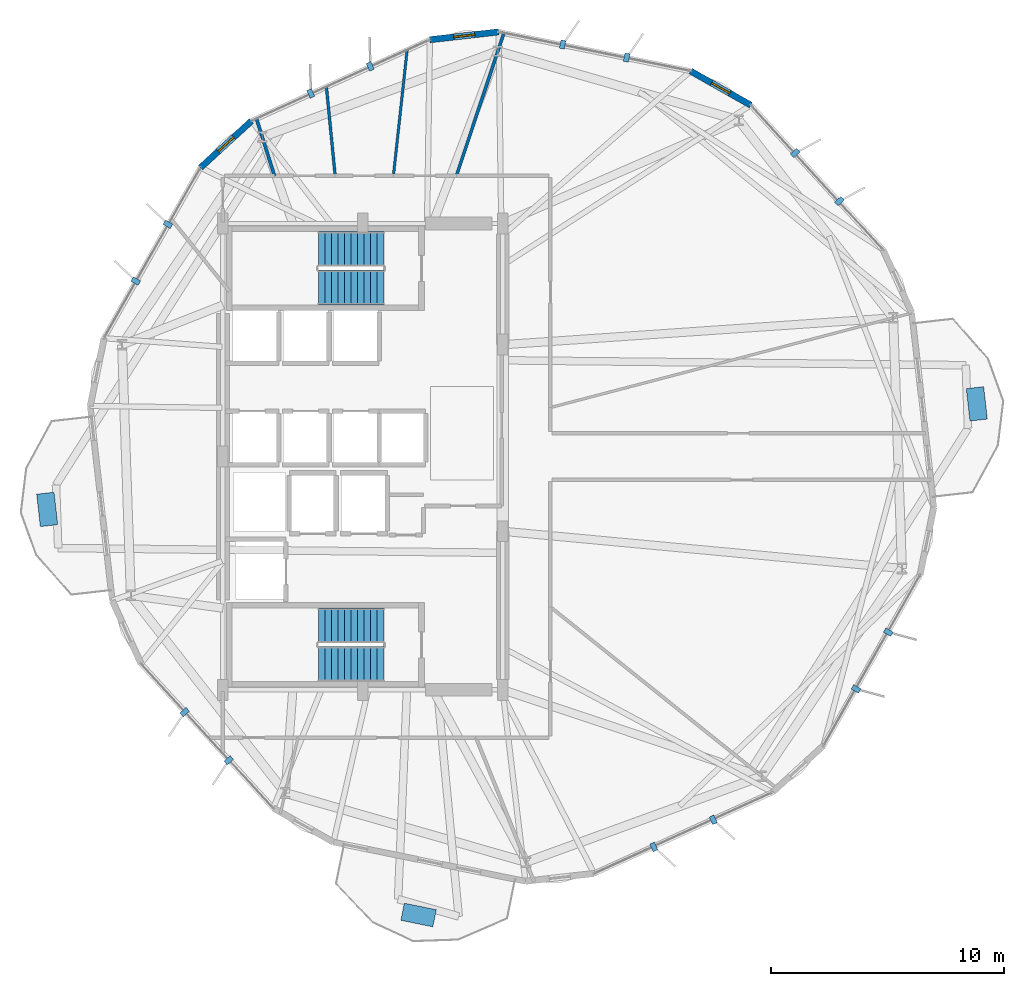
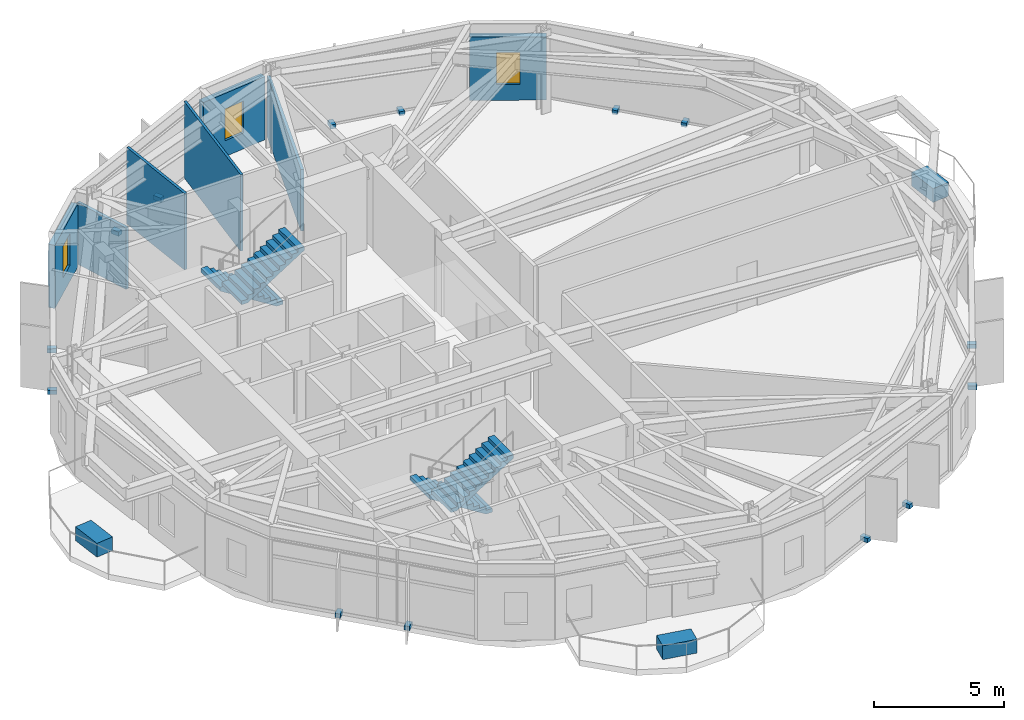
# One storey, part 20 of 23: 17 discrete accessories, 7 walls, 4 stair flights, 3 windows, 3 openings, 2 elements without a shape of their own.
"""IFC4 building model written with IfcOpenShell, lengths in metres."""

import ifcopenshell
import ifcopenshell.guid

model = None  # the IFC model being written
_history = None  # IfcOwnerHistory: only IFC2X3 demands one
_inside = {}  # id of a spatial element -> (the spatial element, [elements in it])
_under = {}  # id of a project, library or spatial element -> (it, [spatial elements below it])
_declared = {}  # id of a project -> (the project, [libraries it declares])
_typed = {}  # id of a type object -> (the type object, [elements of that type])
_made_of = {}  # id of a material, layer set ... -> (it, [elements and type objects made of it])


def new_model(schema):
    """Start an empty IFC model of exactly this schema.

    Asked for "IFC4X3", IfcOpenShell would pick the latest addendum, in which some entities
    have other attributes; the version numbers below select the first issue.
    IFC2X3 requires an IfcOwnerHistory on every rooted entity: one is made here for all.
    """
    global model, _history
    if schema == "IFC4X3":
        model = ifcopenshell.file(schema_version=(4, 3, 0, 0))
    else:
        model = ifcopenshell.file(schema=schema)
    _inside.clear()
    _under.clear()
    _declared.clear()
    _typed.clear()
    _made_of.clear()
    _history = None
    if model.schema == "IFC2X3":
        org = make("IfcOrganization", Name="unknown")
        user = make(
            "IfcPersonAndOrganization",
            ThePerson=make("IfcPerson", FamilyName="unknown"),
            TheOrganization=org,
        )
        app = make(
            "IfcApplication",
            ApplicationDeveloper=org,
            Version="unknown",
            ApplicationFullName="unknown",
            ApplicationIdentifier="unknown",
        )
        _history = make(
            "IfcOwnerHistory",
            OwningUser=user,
            OwningApplication=app,
            ChangeAction="ADDED",
            CreationDate=0,
        )
    return model


def make(cls, **values):
    """One entity of the class cls with the attributes given. An attribute that is None is left unset."""
    return model.create_entity(
        cls, **{name: value for name, value in values.items() if value is not None}
    )


def rooted(cls, **values):
    """An entity with a GlobalId (a new one), such as an element, a storey or a relation."""
    return make(cls, GlobalId=ifcopenshell.guid.new(), OwnerHistory=_history, **values)


def si_unit(unit_type, name, prefix=None):
    """IfcSIUnit, for example si_unit("LENGTHUNIT", "METRE", prefix="MILLI")."""
    return make("IfcSIUnit", UnitType=unit_type, Prefix=prefix, Name=name)


def assignment(units):
    """IfcUnitAssignment: the units of a project."""
    return None if units is None else make("IfcUnitAssignment", Units=units)


def point(xyz):
    """IfcCartesianPoint."""
    return None if xyz is None else make("IfcCartesianPoint", Coordinates=xyz)


def direction(xyz):
    """IfcDirection."""
    return None if xyz is None else make("IfcDirection", DirectionRatios=xyz)


def frame(location, z_axis=None, x_axis=None):
    """IfcAxis2Placement3D, a coordinate frame: its origin and axes. An axis left out is left unset."""
    return make(
        "IfcAxis2Placement3D",
        Location=point(location),
        Axis=direction(z_axis),
        RefDirection=direction(x_axis),
    )


def frame_2d(location, x_axis=None):
    """IfcAxis2Placement2D, a coordinate frame in the plane: its origin and x axis."""
    return make(
        "IfcAxis2Placement2D", Location=point(location), RefDirection=direction(x_axis)
    )


def origin():
    """The frame at (0, 0, 0) with its axes left unset."""
    return frame((0.0, 0.0, 0.0))


def origin_2d():
    """The frame at (0, 0) in the plane with its x axis left unset."""
    return frame_2d((0.0, 0.0))


def place(relative_to, where):
    """IfcLocalPlacement: puts the frame where relative to a parent placement (None: the world)."""
    return make(
        "IfcLocalPlacement", PlacementRelTo=relative_to, RelativePlacement=where
    )


def context(
    kind, dimensions, precision=None, world=None, true_north=None, identifier=None
):
    """IfcGeometricRepresentationContext, for example the 3D "Model" context."""
    return make(
        "IfcGeometricRepresentationContext",
        ContextIdentifier=identifier,
        ContextType=kind,
        CoordinateSpaceDimension=dimensions,
        Precision=precision,
        WorldCoordinateSystem=world,
        TrueNorth=true_north,
    )


def subcontext(parent, identifier, kind, view, scale=None):
    """IfcGeometricRepresentationSubContext, for example "Body" below "Model"."""
    return make(
        "IfcGeometricRepresentationSubContext",
        ContextIdentifier=identifier,
        ContextType=kind,
        ParentContext=parent,
        TargetScale=scale,
        TargetView=view,
    )


def project(units=None, contexts=None):
    """IfcProject with its units and contexts."""
    return rooted(
        "IfcProject",
        Name="project",
        RepresentationContexts=contexts,
        UnitsInContext=assignment(units),
    )


def spatial(cls, under=None, at=None, **own):
    """A site, building, storey or space (cls), placed at a placement, below another one or the project."""
    s = rooted(cls, ObjectPlacement=at, **own)
    if under is not None:
        _under.setdefault(under.id(), (under, []))[1].append(s)
    return s


def polyline(points):
    """IfcPolyline through the points."""
    return make("IfcPolyline", Points=[point(p) for p in points])


def profile(cls, at=None, kind="AREA", **sizes):
    """A parametric profile (cls). Its sizes go by their IFC names, for example OverallWidth=200.0."""
    return make(cls, ProfileType=kind, Position=at, **sizes)


def rectangle(**sizes):
    """IfcRectangleProfileDef."""
    return profile("IfcRectangleProfileDef", **sizes)


def outline(outer, holes=None, kind="AREA"):
    """IfcArbitraryClosedProfileDef: a profile drawn as a closed curve; with holes, ...WithVoids."""
    if holes is None:
        return make("IfcArbitraryClosedProfileDef", ProfileType=kind, OuterCurve=outer)
    return make(
        "IfcArbitraryProfileDefWithVoids",
        ProfileType=kind,
        OuterCurve=outer,
        InnerCurves=holes,
    )


def extrude(swept, where, along, depth):
    """IfcExtrudedAreaSolid: the profile swept, set in the frame where, extruded along a direction by depth."""
    return make(
        "IfcExtrudedAreaSolid",
        SweptArea=swept,
        Position=where,
        ExtrudedDirection=direction(along),
        Depth=depth,
    )


def shape(context_of_items, identifier, shape_type, items):
    """IfcShapeRepresentation: the items that make up one representation, for example the "Body"."""
    return make(
        "IfcShapeRepresentation",
        ContextOfItems=context_of_items,
        RepresentationIdentifier=identifier,
        RepresentationType=shape_type,
        Items=items,
    )


def material(Name=None, Category=None):
    """IfcMaterial."""
    return make("IfcMaterial", Name=Name, Category=Category)


def layer(
    of_material, thickness, ventilated=None, Name=None, Category=None, Priority=None
):
    """IfcMaterialLayer: one layer of a wall or slab, of a material (None: an air gap)."""
    return make(
        "IfcMaterialLayer",
        Material=of_material,
        LayerThickness=thickness,
        IsVentilated=ventilated,
        Name=Name,
        Category=Category,
        Priority=Priority,
    )


def layer_set(layers, Name=None):
    """IfcMaterialLayerSet."""
    return make("IfcMaterialLayerSet", MaterialLayers=layers, LayerSetName=Name)


def made_of(thing, what):
    """Note that an element or type object is made of a material, layer set ...; save() writes the relation."""
    if what is not None:
        _made_of.setdefault(what.id(), (what, []))[1].append(thing)
    return thing


def type_object(cls, material=None, **own):
    """A type object (cls), such as IfcWallType, which elements share."""
    return made_of(rooted(cls, **own), material)


def element(
    cls,
    number,
    at=None,
    inside=None,
    cuts=None,
    type_object=None,
    material=None,
    context=None,
    identifier="Body",
    shape_type=None,
    held_by="IfcProductDefinitionShape",
    body=None,
    shapes=None,
    **own,
):
    """One element of the class cls, such as IfcWall. Its Tag is "e" and its number.

    at: its placement. inside: the storey or other place that contains it. cuts: it is an
    opening in that element (IfcRelVoidsElement). A single representation is given by context,
    identifier, shape_type and body (its items); several are given by shapes. held_by: the class
    of the entity that holds the representations. save() writes the other relations.
    """
    e = rooted(cls, Tag="e%d" % number, ObjectPlacement=at, **own)
    if body is not None:
        shapes = [shape(context, identifier, shape_type, body)]
    if shapes is not None:
        e.Representation = make(held_by, Representations=shapes)
    if inside is not None:
        _inside.setdefault(inside.id(), (inside, []))[1].append(e)
    if cuts is not None:
        rooted(
            "IfcRelVoidsElement", RelatingBuildingElement=cuts, RelatedOpeningElement=e
        )
    if type_object is not None:
        _typed.setdefault(type_object.id(), (type_object, []))[1].append(e)
    return made_of(e, material)


def fill(opening, filler):
    """IfcRelFillsElement: the door or window that sits in an opening."""
    return rooted(
        "IfcRelFillsElement",
        RelatingOpeningElement=opening,
        RelatedBuildingElement=filler,
    )


def aggregate(whole, parts):
    """IfcRelAggregates: a whole, such as a stair, and the parts it consists of."""
    return rooted("IfcRelAggregates", RelatingObject=whole, RelatedObjects=parts)


def save(model, path):
    """Write the relations noted so far, then the file.

    IfcRelAggregates (storeys below a building ...), IfcRelContainedInSpatialStructure (elements
    in a storey), IfcRelDefinesByType, IfcRelAssociatesMaterial and IfcRelDeclares: one each for
    every whole, place, type object, material and project.
    """
    for whole, parts in _under.values():
        aggregate(whole, parts)
    for where, things in _inside.values():
        rooted(
            "IfcRelContainedInSpatialStructure",
            RelatedElements=things,
            RelatingStructure=where,
        )
    for kind, things in _typed.values():
        rooted("IfcRelDefinesByType", RelatedObjects=things, RelatingType=kind)
    for what, things in _made_of.values():
        rooted("IfcRelAssociatesMaterial", RelatedObjects=things, RelatingMaterial=what)
    for by, libraries in _declared.values():
        rooted("IfcRelDeclares", RelatingContext=by, RelatedDefinitions=libraries)
    model.write(path)


model = new_model("IFC4")

# Units and contexts
model_context = context("Model", 3, precision=1e-05, world=origin(), true_north=direction((0.0, 1.0)))
body_context = subcontext(model_context, "Body", "Model", "MODEL_VIEW")
ifc_project = project(units=[si_unit("LENGTHUNIT", "METRE"), si_unit("AREAUNIT", "SQUARE_METRE"), si_unit("VOLUMEUNIT", "CUBIC_METRE"), si_unit("PLANEANGLEUNIT", "RADIAN"), si_unit("MASSUNIT", "GRAM", prefix="KILO")], contexts=[model_context])

# Site, building, storey
site_placement = place(None, origin())
site = spatial("IfcSite", under=ifc_project, at=site_placement, CompositionType="ELEMENT")
building_placement = place(site_placement, origin())
building = spatial("IfcBuilding", under=site, at=building_placement, Name="Soratama Intermodal Tower", CompositionType="ELEMENT")
storey_placement = place(building_placement, frame((0.0, 0.0, 122.5)))
storey = spatial("IfcBuildingStorey", under=building, at=storey_placement, Name="L29", CompositionType="ELEMENT", Elevation=122.5)

# Wall, opening, window
ifc_material_1 = material(Name="Concrete f'c 42 MPa", Category="concrete")
ifc_layer_1 = layer(ifc_material_1, 0.27001953125)
ifc_layer_set_1 = layer_set([ifc_layer_1], Name="Concrete f'c 42 MPa")
wall_type_1 = type_object("IfcWallType", Name="EW-CRN-270", PredefinedType="SOLIDWALL", material=ifc_layer_set_1)
wall_1_placement = place(storey_placement, frame((55.2412109375, 40.076171875, 0.0), z_axis=(0.0, 0.0, 1.0), x_axis=(-0.870196274844, 0.492705229572, 0.0)))
wall_1 = element("IfcWall", 1, at=wall_1_placement, inside=storey, type_object=wall_type_1, Name="L29 Corner Closure Wall 01", PredefinedType="SOLIDWALL", context=body_context, shape_type="SweptSolid", body=[
    extrude(rectangle(XDim=2.966552734375, YDim=0.27001953125, at=frame_2d((1.4833984375, 0.0))), origin(), (0.0, 0.0, 1.0), 2.97900390625),
])
opening_1_placement = place(wall_1_placement, frame((1.033203125, 0.0, 0.75)))
opening_1 = element("IfcOpeningElement", 2, at=opening_1_placement, cuts=wall_1, Name="Opening WN-6", PredefinedType="OPENING", context=body_context, shape_type="SweptSolid", body=[
    extrude(rectangle(XDim=0.89990234375, YDim=1.5, at=frame_2d((0.449951171875, 0.75))), frame((0.0, 0.14501953125, 0.0), z_axis=(0.0, -1.0, 0.0), x_axis=(1.0, 0.0, 0.0)), (0.0, 0.0, 1.0), 0.2900390625),
])
ifc_material_2 = material(Name="Double-glazed aluminium window", Category="aluminium")
window_type = type_object("IfcWindowType", Name="WN-FAC-900", PartitioningType="SINGLE_PANEL", PredefinedType="WINDOW", material=ifc_material_2)
window_1_placement = place(opening_1_placement, origin())
window_1 = element("IfcWindow", 3, at=window_1_placement, inside=storey, type_object=window_type, Name="L29 Corner Window 01", OverallHeight=1.5, OverallWidth=0.89990234375, PartitioningType="SINGLE_PANEL", PredefinedType="WINDOW", context=body_context, shape_type="SweptSolid", body=[
    extrude(rectangle(XDim=0.89990234375, YDim=1.5, at=frame_2d((0.449951171875, 0.75))), frame((0.0, 0.030029296875, 0.0), z_axis=(0.0, -1.0, 0.0), x_axis=(1.0, 0.0, 0.0)), (0.0, 0.0, 1.0), 0.06005859375),
])
fill(opening_1, window_1)

wall_2_placement = place(storey_placement, frame((44.423828125, 43.216552734375, 0.0), z_axis=(0.0, 0.0, 1.0), x_axis=(-0.993605674431, -0.11290599514, 0.0)))
wall_2 = element("IfcWall", 4, at=wall_2_placement, inside=storey, type_object=wall_type_1, Name="L29 Corner Closure Wall 02", PredefinedType="SOLIDWALL", context=body_context, shape_type="SweptSolid", body=[
    extrude(rectangle(XDim=2.966796875, YDim=0.27001953125, at=frame_2d((1.4833984375, 0.0))), origin(), (0.0, 0.0, 1.0), 2.97900390625),
])
opening_2_placement = place(wall_2_placement, frame((1.033203125, 0.0, 0.75)))
opening_2 = element("IfcOpeningElement", 5, at=opening_2_placement, cuts=wall_2, Name="Opening WN-6", PredefinedType="OPENING", context=body_context, shape_type="SweptSolid", body=[
    extrude(rectangle(XDim=0.89990234375, YDim=1.5, at=frame_2d((0.449951171875, 0.75))), frame((0.0, 0.14501953125, 0.0), z_axis=(0.0, -1.0, 0.0), x_axis=(1.0, 0.0, 0.0)), (0.0, 0.0, 1.0), 0.2900390625),
])
window_2_placement = place(opening_2_placement, origin())
window_2 = element("IfcWindow", 6, at=window_2_placement, inside=storey, type_object=window_type, Name="L29 Corner Window 02", OverallHeight=1.5, OverallWidth=0.89990234375, PartitioningType="SINGLE_PANEL", PredefinedType="WINDOW", context=body_context, shape_type="SweptSolid", body=[
    extrude(rectangle(XDim=0.89990234375, YDim=1.5, at=frame_2d((0.449951171875, 0.75))), frame((0.0, 0.030029296875, 0.0), z_axis=(0.0, -1.0, 0.0), x_axis=(1.0, 0.0, 0.0)), (0.0, 0.0, 1.0), 0.06005859375),
])
fill(opening_2, window_2)

wall_3_placement = place(storey_placement, frame((33.826416015625, 39.398681640625, 0.0), z_axis=(0.0, 0.0, 1.0), x_axis=(-0.737529789318, -0.675314600663, 0.0)))
wall_3 = element("IfcWall", 7, at=wall_3_placement, inside=storey, type_object=wall_type_1, Name="L29 Corner Closure Wall 03", PredefinedType="SOLIDWALL", context=body_context, shape_type="SweptSolid", body=[
    extrude(rectangle(XDim=2.966552734375, YDim=0.27001953125, at=frame_2d((1.4833984375, 0.0))), origin(), (0.0, 0.0, 1.0), 2.97900390625),
])
opening_3_placement = place(wall_3_placement, frame((1.033203125, 0.0, 0.75)))
opening_3 = element("IfcOpeningElement", 8, at=opening_3_placement, cuts=wall_3, Name="Opening WN-6", PredefinedType="OPENING", context=body_context, shape_type="SweptSolid", body=[
    extrude(rectangle(XDim=0.89990234375, YDim=1.5, at=frame_2d((0.449951171875, 0.75))), frame((0.0, 0.14501953125, 0.0), z_axis=(0.0, -1.0, 0.0), x_axis=(1.0, 0.0, 0.0)), (0.0, 0.0, 1.0), 0.2900390625),
])
window_3_placement = place(opening_3_placement, origin())
window_3 = element("IfcWindow", 9, at=window_3_placement, inside=storey, type_object=window_type, Name="L29 Corner Window 03", OverallHeight=1.5, OverallWidth=0.89990234375, PartitioningType="SINGLE_PANEL", PredefinedType="WINDOW", context=body_context, shape_type="SweptSolid", body=[
    extrude(rectangle(XDim=0.89990234375, YDim=1.5, at=frame_2d((0.449951171875, 0.75))), frame((0.0, 0.030029296875, 0.0), z_axis=(0.0, -1.0, 0.0), x_axis=(1.0, 0.0, 0.0)), (0.0, 0.0, 1.0), 0.06005859375),
])
fill(opening_3, window_3)

# Walls
ifc_material_3 = material(Name="Fire-rated gypsum stud partition", Category="concrete")
ifc_layer_2 = layer(ifc_material_3, 0.110107421875)
ifc_layer_set_2 = layer_set([ifc_layer_2], Name="Fire-rated gypsum stud partition")
wall_type_2 = type_object("IfcWallType", Name="IW-PART-S110", PredefinedType="PARTITIONING", material=ifc_layer_set_2)
wall_4_placement = place(storey_placement, frame((39.9140625, 37.050048828125, 0.0), z_axis=(0.0, 0.0, 1.0), x_axis=(0.108468553753, 0.99409988072, 0.0)))
element("IfcWall", 10, at=wall_4_placement, inside=storey, type_object=wall_type_2, Name="L29 Partition W-L29-TP011", PredefinedType="PARTITIONING", context=body_context, shape_type="SweptSolid", body=[
    extrude(rectangle(XDim=5.419921875, YDim=0.110107421875, at=frame_2d((2.7099609375, 0.0))), origin(), (0.0, 0.0, 1.0), 3.60009765625),
])
ifc_material_4 = material(Name="Fire-rated gypsum stud partition", Category="concrete")
ifc_layer_3 = layer(ifc_material_4, 0.1201171875)
ifc_layer_set_3 = layer_set([ifc_layer_3], Name="Fire-rated gypsum stud partition")
wall_type_3 = type_object("IfcWallType", Name="IW-PART-S120", PredefinedType="PARTITIONING", material=ifc_layer_set_3)
wall_5_placement = place(storey_placement, frame((37.4150390625, 37.050048828125, 0.0), z_axis=(0.0, 0.0, 1.0), x_axis=(-0.097900688279, 0.995196189319, 0.0)))
element("IfcWall", 11, at=wall_5_placement, inside=storey, type_object=wall_type_3, Name="L29 Partition W-L29-TP015", PredefinedType="PARTITIONING", context=body_context, shape_type="SweptSolid", body=[
    extrude(rectangle(XDim=3.830322265625, YDim=0.1201171875, at=frame_2d((1.9150390625, 0.0))), origin(), (0.0, 0.0, 1.0), 3.60009765625),
])
ifc_material_5 = material(Name="Fire-rated gypsum stud partition", Category="concrete")
ifc_layer_4 = layer(ifc_material_5, 0.1298828125)
ifc_layer_set_4 = layer_set([ifc_layer_4], Name="Fire-rated gypsum stud partition")
wall_type_4 = type_object("IfcWallType", Name="IW-PART-S130", PredefinedType="PARTITIONING", material=ifc_layer_set_4)
wall_6_placement = place(storey_placement, frame((42.614013671875, 37.050048828125, 0.0), z_axis=(0.0, 0.0, 1.0), x_axis=(0.31610286631, 0.948724922151, 0.0)))
element("IfcWall", 12, at=wall_6_placement, inside=storey, type_object=wall_type_4, Name="L29 Partition W-L29-TP009", PredefinedType="PARTITIONING", context=body_context, shape_type="SweptSolid", body=[
    extrude(rectangle(XDim=6.45068359375, YDim=0.1298828125, at=frame_2d((3.225341796875, 0.0))), origin(), (0.0, 0.0, 1.0), 2.89501953125),
])
ifc_material_6 = material(Name="Fire-rated gypsum stud partition", Category="concrete")
ifc_layer_5 = layer(ifc_material_6, 0.139892578125)
ifc_layer_set_5 = layer_set([ifc_layer_5], Name="Fire-rated gypsum stud partition")
wall_type_5 = type_object("IfcWallType", Name="IW-PART-S140", PredefinedType="PARTITIONING", material=ifc_layer_set_5)
wall_7_placement = place(storey_placement, frame((34.81005859375, 37.050048828125, 0.0), z_axis=(0.0, 0.0, 1.0), x_axis=(-0.299928106124, 0.953961808018, 0.0)))
element("IfcWall", 13, at=wall_7_placement, inside=storey, type_object=wall_type_5, Name="L29 Partition W-L29-TP023", PredefinedType="PARTITIONING", context=body_context, shape_type="SweptSolid", body=[
    extrude(rectangle(XDim=2.564208984375, YDim=0.139892578125, at=frame_2d((1.2822265625, 0.0))), origin(), (0.0, 0.0, 1.0), 2.89501953125),
])

# Stair, stair flights
ifc_material_7 = material(Name="Concrete f'c 42 MPa", Category="concrete")
stair_type = type_object("IfcStairType", Name="ST-CORE-DOGLEG", PredefinedType="HALF_TURN_STAIR", material=ifc_material_7)
stair_1_placement = place(storey_placement, origin())
stair_1 = element("IfcStair", 14, at=stair_1_placement, inside=storey, type_object=stair_type, Name="L29 ST-1", PredefinedType="HALF_TURN_STAIR")
ifc_material_8 = material(Name="Precast concrete f'c 40 MPa", Category="concrete")
ifc_layer_6 = layer(ifc_material_8, 0.199951171875)
ifc_layer_set_6 = layer_set([ifc_layer_6], Name="Precast concrete f'c 40 MPa")
stair_flight_type = type_object("IfcStairFlightType", Name="SF-FLIGHT-RC", PredefinedType="STRAIGHT", material=ifc_layer_set_6)
stair_flight_1_placement = place(storey_placement, frame((39.5, 17.75, 0.0), z_axis=(0.0, 0.0, 1.0), x_axis=(-1.0, 0.0, 0.0)))
stair_flight_1 = element("IfcStairFlight", 15, at=stair_flight_1_placement, type_object=stair_flight_type, Name="ST-1 flight 1", NumberOfRisers=11, NumberOfTreads=10, PredefinedType="STRAIGHT", RiserHeight=0.177272727, TreadLength=0.28, context=body_context, shape_type="SweptSolid", body=[
    extrude(outline(polyline([(0.0, 0.0), (0.0, 0.17724609375), (0.280029296875, 0.17724609375), (0.280029296875, 0.3544921875), (0.56005859375, 0.3544921875), (0.56005859375, 0.53173828125), (0.840087890625, 0.53173828125), (0.840087890625, 0.708984375), (1.1201171875, 0.708984375), (1.1201171875, 0.886474609375), (1.39990234375, 0.886474609375), (1.39990234375, 1.063720703125), (1.679931640625, 1.063720703125), (1.679931640625, 1.240966796875), (1.9599609375, 1.240966796875), (1.9599609375, 1.418212890625), (2.239990234375, 1.418212890625), (2.239990234375, 1.595458984375), (2.52001953125, 1.595458984375), (2.52001953125, 1.772705078125), (2.800048828125, 1.772705078125), (2.800048828125, 1.949951171875), (2.800048828125, 1.59521484375), (0.2802734375, 0.0), (0.0, 0.0)])), frame((0.0, 0.75, 0.0), z_axis=(0.0, -1.0, 0.0), x_axis=(1.0, 0.0, 0.0)), (0.0, 0.0, 1.0), 1.5),
])
stair_flight_2_placement = place(storey_placement, frame((36.699951171875, 16.10009765625, 1.949951171875), z_axis=(0.0, 0.0, 1.0), x_axis=(1.0, 0.0, 0.0)))
stair_flight_2 = element("IfcStairFlight", 16, at=stair_flight_2_placement, type_object=stair_flight_type, Name="ST-1 flight 2", NumberOfRisers=11, NumberOfTreads=10, PredefinedType="STRAIGHT", RiserHeight=0.177272727, TreadLength=0.28, context=body_context, shape_type="SweptSolid", body=[
    extrude(outline(polyline([(0.0, 0.0), (0.0, 0.17724609375), (0.280029296875, 0.17724609375), (0.280029296875, 0.3544921875), (0.56005859375, 0.3544921875), (0.56005859375, 0.53173828125), (0.840087890625, 0.53173828125), (0.840087890625, 0.708984375), (1.1201171875, 0.708984375), (1.1201171875, 0.886474609375), (1.39990234375, 0.886474609375), (1.39990234375, 1.063720703125), (1.679931640625, 1.063720703125), (1.679931640625, 1.240966796875), (1.9599609375, 1.240966796875), (1.9599609375, 1.418212890625), (2.239990234375, 1.418212890625), (2.239990234375, 1.595458984375), (2.52001953125, 1.595458984375), (2.52001953125, 1.772705078125), (2.800048828125, 1.772705078125), (2.800048828125, 1.949951171875), (2.800048828125, 1.59521484375), (0.2802734375, 0.0), (0.0, 0.0)])), frame((0.0, 0.75, 0.0), z_axis=(0.0, -1.0, 0.0), x_axis=(1.0, 0.0, 0.0)), (0.0, 0.0, 1.0), 1.5),
])
aggregate(stair_1, [stair_flight_1, stair_flight_2])

stair_2_placement = place(storey_placement, origin())
stair_2 = element("IfcStair", 17, at=stair_2_placement, inside=storey, type_object=stair_type, Name="L29 ST-2", PredefinedType="HALF_TURN_STAIR")
stair_flight_3_placement = place(storey_placement, frame((39.5, 33.89990234375, 0.0), z_axis=(0.0, 0.0, 1.0), x_axis=(-1.0, 0.0, 0.0)))
stair_flight_3 = element("IfcStairFlight", 18, at=stair_flight_3_placement, type_object=stair_flight_type, Name="ST-2 flight 1", NumberOfRisers=11, NumberOfTreads=10, PredefinedType="STRAIGHT", RiserHeight=0.177272727, TreadLength=0.28, context=body_context, shape_type="SweptSolid", body=[
    extrude(outline(polyline([(0.0, 0.0), (0.0, 0.17724609375), (0.280029296875, 0.17724609375), (0.280029296875, 0.3544921875), (0.56005859375, 0.3544921875), (0.56005859375, 0.53173828125), (0.840087890625, 0.53173828125), (0.840087890625, 0.708984375), (1.1201171875, 0.708984375), (1.1201171875, 0.886474609375), (1.39990234375, 0.886474609375), (1.39990234375, 1.063720703125), (1.679931640625, 1.063720703125), (1.679931640625, 1.240966796875), (1.9599609375, 1.240966796875), (1.9599609375, 1.418212890625), (2.239990234375, 1.418212890625), (2.239990234375, 1.595458984375), (2.52001953125, 1.595458984375), (2.52001953125, 1.772705078125), (2.800048828125, 1.772705078125), (2.800048828125, 1.949951171875), (2.800048828125, 1.59521484375), (0.2802734375, 0.0), (0.0, 0.0)])), frame((0.0, 0.75, 0.0), z_axis=(0.0, -1.0, 0.0), x_axis=(1.0, 0.0, 0.0)), (0.0, 0.0, 1.0), 1.5),
])
stair_flight_4_placement = place(storey_placement, frame((36.699951171875, 32.25, 1.949951171875), z_axis=(0.0, 0.0, 1.0), x_axis=(1.0, 0.0, 0.0)))
stair_flight_4 = element("IfcStairFlight", 19, at=stair_flight_4_placement, type_object=stair_flight_type, Name="ST-2 flight 2", NumberOfRisers=11, NumberOfTreads=10, PredefinedType="STRAIGHT", RiserHeight=0.177272727, TreadLength=0.28, context=body_context, shape_type="SweptSolid", body=[
    extrude(outline(polyline([(0.0, 0.0), (0.0, 0.17724609375), (0.280029296875, 0.17724609375), (0.280029296875, 0.3544921875), (0.56005859375, 0.3544921875), (0.56005859375, 0.53173828125), (0.840087890625, 0.53173828125), (0.840087890625, 0.708984375), (1.1201171875, 0.708984375), (1.1201171875, 0.886474609375), (1.39990234375, 0.886474609375), (1.39990234375, 1.063720703125), (1.679931640625, 1.063720703125), (1.679931640625, 1.240966796875), (1.9599609375, 1.240966796875), (1.9599609375, 1.418212890625), (2.239990234375, 1.418212890625), (2.239990234375, 1.595458984375), (2.52001953125, 1.595458984375), (2.52001953125, 1.772705078125), (2.800048828125, 1.772705078125), (2.800048828125, 1.949951171875), (2.800048828125, 1.59521484375), (0.2802734375, 0.0), (0.0, 0.0)])), frame((0.0, 0.75, 0.0), z_axis=(0.0, -1.0, 0.0), x_axis=(1.0, 0.0, 0.0)), (0.0, 0.0, 1.0), 1.5),
])
aggregate(stair_2, [stair_flight_3, stair_flight_4])

# Discrete accessories
ifc_material_9 = material(Name="Structural steel ASTM A992 Grade 50", Category="steel")
discrete_accessory_type_1 = type_object("IfcDiscreteAccessoryType", Name="AC-FIN-BRACKET", PredefinedType="BRACKET", material=ifc_material_9)
for number, where, z_axis, x_axis, name in (
    (20, (59.040283203125, 35.95703125, -0.080078125), (0.0, 0.0, 1.0), (0.737513117358, 0.675332808121, 0.0), "L29 Fin Bracket F01-1"),
    (21, (57.148193359375, 38.023193359375, -0.080078125), (0.0, 0.0, 1.0), (0.737513117358, 0.675332808121, 0.0), "L29 Fin Bracket F01-2"),
    (22, (49.91845703125, 42.116943359375, -0.080078125), (0.0, 0.0, 1.0), (0.199709980514, 0.979855052384, 0.0), "L29 Fin Bracket F02-1"),
    (23, (47.173095703125, 42.676513671875, -0.080078125), (0.0, 0.0, 1.0), (0.199709980514, 0.979855052384, 0.0), "L29 Fin Bracket F02-2"),
    (24, (38.91796875, 41.739013671875, -0.080078125), (0.0, 0.0, 1.0), (-0.414375580993, 0.910105970685, 0.0), "L29 Fin Bracket F03-1"),
    (25, (36.367919921875, 40.577880859375, -0.080078125), (0.0, 0.0, 1.0), (-0.414375580993, 0.910105970685, 0.0), "L29 Fin Bracket F03-2"),
    (26, (30.240478515625, 34.967041015625, -0.080078125), (0.0, 0.0, 1.0), (-0.87018375467, 0.492727341548, 0.0), "L29 Fin Bracket F04-1"),
    (27, (28.860107421875, 32.529052734375, -0.080078125), (0.0, 0.0, 1.0), (-0.87018375467, 0.492727341548, 0.0), "L29 Fin Bracket F04-2"),
    (28, (30.959716796875, 14.04296875, -0.080078125), (0.0, 0.0, 1.0), (-0.737513117358, -0.675332808121, 0.0), "L29 Fin Bracket F06-1"),
    (29, (32.851806640625, 11.976806640625, -0.080078125), (0.0, 0.0, 1.0), (-0.737513117358, -0.675332808121, 0.0), "L29 Fin Bracket F06-2"),
    (30, (51.08203125, 8.260986328125, -0.080078125), (0.0, 0.0, 1.0), (0.414375580993, -0.910105970685, 0.0), "L29 Fin Bracket F08-1"),
    (31, (53.632080078125, 9.422119140625, -0.080078125), (0.0, 0.0, 1.0), (0.414375580993, -0.910105970685, 0.0), "L29 Fin Bracket F08-2"),
    (32, (59.759521484375, 15.032958984375, -0.080078125), (0.0, 0.0, 1.0), (0.87018375467, -0.492727341548, 0.0), "L29 Fin Bracket F09-1"),
    (33, (61.139892578125, 17.470947265625, -0.080078125), (0.0, 0.0, 1.0), (0.87018375467, -0.492727341548, 0.0), "L29 Fin Bracket F09-2"),
):
    element("IfcDiscreteAccessory", number, at=place(storey_placement, frame(where, z_axis=z_axis, x_axis=x_axis)), inside=storey, type_object=discrete_accessory_type_1, Name=name, PredefinedType="BRACKET", context=body_context, shape_type="SweptSolid", body=[
        extrude(rectangle(XDim=0.360107421875, YDim=0.219970703125, at=origin_2d()), origin(), (0.0, 0.0, 1.0), 0.199951171875),
    ])
ifc_material_10 = material(Name="Precast concrete f'c 40 MPa", Category="concrete")
discrete_accessory_type_2 = type_object("IfcDiscreteAccessoryType", Name="AC-PLANTER-TREE", PredefinedType="USERDEFINED", material=ifc_material_10)
for number, where, z_axis, x_axis, name in (
    (34, (64.936279296875, 27.264404296875, 0.0), (0.0, 0.0, 1.0), (0.99361131052, 0.112856384873, 0.0), "L29 Tree Planter 1"),
    (35, (25.063720703125, 22.735595703125, 0.0), (0.0, 0.0, 1.0), (-0.99361131052, -0.112856384873, 0.0), "L29 Tree Planter 2"),
    (36, (40.992919921875, 5.339599609375, 0.0), (0.0, 0.0, 1.0), (-0.199709980514, -0.979855052384, 0.0), "L29 Tree Planter 3"),
):
    element("IfcDiscreteAccessory", number, at=place(storey_placement, frame(where, z_axis=z_axis, x_axis=x_axis)), inside=storey, type_object=discrete_accessory_type_2, Name=name, ObjectType="PLANTER", PredefinedType="USERDEFINED", context=body_context, shape_type="SweptSolid", body=[
        extrude(rectangle(XDim=0.75, YDim=1.39990234375, at=origin_2d()), origin(), (0.0, 0.0, 1.0), 0.64990234375),
    ])

save(model, "model.ifc")
